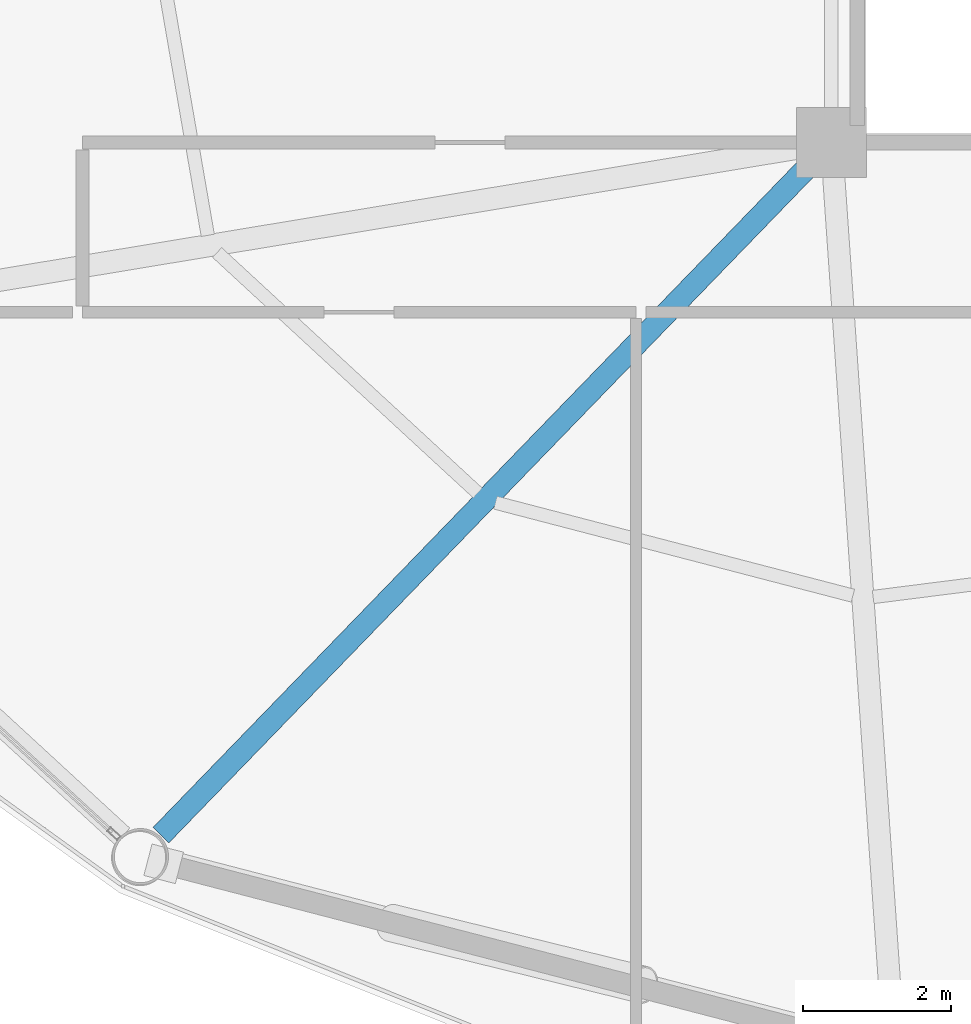
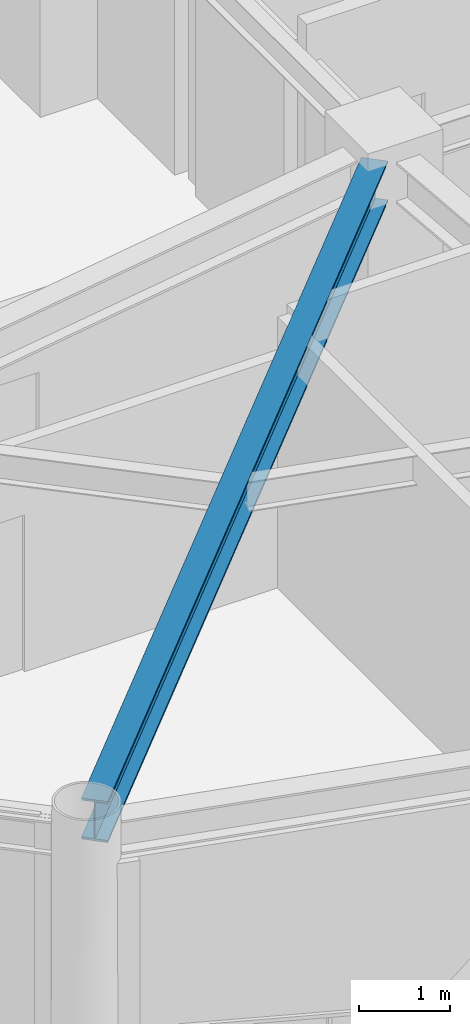
# One storey, part 4 of 24: 1 beam.
"""IFC4 building model written with IfcOpenShell, lengths in metres."""

import ifcopenshell
import ifcopenshell.guid

model = None  # the IFC model being written
_history = None  # IfcOwnerHistory: only IFC2X3 demands one
_inside = {}  # id of a spatial element -> (the spatial element, [elements in it])
_under = {}  # id of a project, library or spatial element -> (it, [spatial elements below it])
_declared = {}  # id of a project -> (the project, [libraries it declares])
_typed = {}  # id of a type object -> (the type object, [elements of that type])
_made_of = {}  # id of a material, layer set ... -> (it, [elements and type objects made of it])


def new_model(schema):
    """Start an empty IFC model of exactly this schema.

    Asked for "IFC4X3", IfcOpenShell would pick the latest addendum, in which some entities
    have other attributes; the version numbers below select the first issue.
    IFC2X3 requires an IfcOwnerHistory on every rooted entity: one is made here for all.
    """
    global model, _history
    if schema == "IFC4X3":
        model = ifcopenshell.file(schema_version=(4, 3, 0, 0))
    else:
        model = ifcopenshell.file(schema=schema)
    _inside.clear()
    _under.clear()
    _declared.clear()
    _typed.clear()
    _made_of.clear()
    _history = None
    if model.schema == "IFC2X3":
        org = make("IfcOrganization", Name="unknown")
        user = make(
            "IfcPersonAndOrganization",
            ThePerson=make("IfcPerson", FamilyName="unknown"),
            TheOrganization=org,
        )
        app = make(
            "IfcApplication",
            ApplicationDeveloper=org,
            Version="unknown",
            ApplicationFullName="unknown",
            ApplicationIdentifier="unknown",
        )
        _history = make(
            "IfcOwnerHistory",
            OwningUser=user,
            OwningApplication=app,
            ChangeAction="ADDED",
            CreationDate=0,
        )
    return model


def make(cls, **values):
    """One entity of the class cls with the attributes given. An attribute that is None is left unset."""
    return model.create_entity(
        cls, **{name: value for name, value in values.items() if value is not None}
    )


def rooted(cls, **values):
    """An entity with a GlobalId (a new one), such as an element, a storey or a relation."""
    return make(cls, GlobalId=ifcopenshell.guid.new(), OwnerHistory=_history, **values)


def si_unit(unit_type, name, prefix=None):
    """IfcSIUnit, for example si_unit("LENGTHUNIT", "METRE", prefix="MILLI")."""
    return make("IfcSIUnit", UnitType=unit_type, Prefix=prefix, Name=name)


def assignment(units):
    """IfcUnitAssignment: the units of a project."""
    return None if units is None else make("IfcUnitAssignment", Units=units)


def point(xyz):
    """IfcCartesianPoint."""
    return None if xyz is None else make("IfcCartesianPoint", Coordinates=xyz)


def direction(xyz):
    """IfcDirection."""
    return None if xyz is None else make("IfcDirection", DirectionRatios=xyz)


def frame(location, z_axis=None, x_axis=None):
    """IfcAxis2Placement3D, a coordinate frame: its origin and axes. An axis left out is left unset."""
    return make(
        "IfcAxis2Placement3D",
        Location=point(location),
        Axis=direction(z_axis),
        RefDirection=direction(x_axis),
    )


def frame_2d(location, x_axis=None):
    """IfcAxis2Placement2D, a coordinate frame in the plane: its origin and x axis."""
    return make(
        "IfcAxis2Placement2D", Location=point(location), RefDirection=direction(x_axis)
    )


def origin():
    """The frame at (0, 0, 0) with its axes left unset."""
    return frame((0.0, 0.0, 0.0))


def origin_2d():
    """The frame at (0, 0) in the plane with its x axis left unset."""
    return frame_2d((0.0, 0.0))


def place(relative_to, where):
    """IfcLocalPlacement: puts the frame where relative to a parent placement (None: the world)."""
    return make(
        "IfcLocalPlacement", PlacementRelTo=relative_to, RelativePlacement=where
    )


def context(
    kind, dimensions, precision=None, world=None, true_north=None, identifier=None
):
    """IfcGeometricRepresentationContext, for example the 3D "Model" context."""
    return make(
        "IfcGeometricRepresentationContext",
        ContextIdentifier=identifier,
        ContextType=kind,
        CoordinateSpaceDimension=dimensions,
        Precision=precision,
        WorldCoordinateSystem=world,
        TrueNorth=true_north,
    )


def subcontext(parent, identifier, kind, view, scale=None):
    """IfcGeometricRepresentationSubContext, for example "Body" below "Model"."""
    return make(
        "IfcGeometricRepresentationSubContext",
        ContextIdentifier=identifier,
        ContextType=kind,
        ParentContext=parent,
        TargetScale=scale,
        TargetView=view,
    )


def project(units=None, contexts=None):
    """IfcProject with its units and contexts."""
    return rooted(
        "IfcProject",
        Name="project",
        RepresentationContexts=contexts,
        UnitsInContext=assignment(units),
    )


def spatial(cls, under=None, at=None, **own):
    """A site, building, storey or space (cls), placed at a placement, below another one or the project."""
    s = rooted(cls, ObjectPlacement=at, **own)
    if under is not None:
        _under.setdefault(under.id(), (under, []))[1].append(s)
    return s


def profile(cls, at=None, kind="AREA", **sizes):
    """A parametric profile (cls). Its sizes go by their IFC names, for example OverallWidth=200.0."""
    return make(cls, ProfileType=kind, Position=at, **sizes)


def i_section(**sizes):
    """IfcIShapeProfileDef."""
    return profile("IfcIShapeProfileDef", **sizes)


def extrude(swept, where, along, depth):
    """IfcExtrudedAreaSolid: the profile swept, set in the frame where, extruded along a direction by depth."""
    return make(
        "IfcExtrudedAreaSolid",
        SweptArea=swept,
        Position=where,
        ExtrudedDirection=direction(along),
        Depth=depth,
    )


def shape(context_of_items, identifier, shape_type, items):
    """IfcShapeRepresentation: the items that make up one representation, for example the "Body"."""
    return make(
        "IfcShapeRepresentation",
        ContextOfItems=context_of_items,
        RepresentationIdentifier=identifier,
        RepresentationType=shape_type,
        Items=items,
    )


def material(Name=None, Category=None):
    """IfcMaterial."""
    return make("IfcMaterial", Name=Name, Category=Category)


def material_profile(
    of_material, cross_section, Name=None, Category=None, Priority=None
):
    """IfcMaterialProfile: a cross section and its material."""
    return make(
        "IfcMaterialProfile",
        Name=Name,
        Material=of_material,
        Profile=cross_section,
        Priority=Priority,
        Category=Category,
    )


def profile_set(profiles, Name=None, composite=None):
    """IfcMaterialProfileSet."""
    return make(
        "IfcMaterialProfileSet",
        Name=Name,
        MaterialProfiles=profiles,
        CompositeProfile=composite,
    )


def made_of(thing, what):
    """Note that an element or type object is made of a material, layer set ...; save() writes the relation."""
    if what is not None:
        _made_of.setdefault(what.id(), (what, []))[1].append(thing)
    return thing


def type_object(cls, material=None, **own):
    """A type object (cls), such as IfcWallType, which elements share."""
    return made_of(rooted(cls, **own), material)


def element(
    cls,
    number,
    at=None,
    inside=None,
    cuts=None,
    type_object=None,
    material=None,
    context=None,
    identifier="Body",
    shape_type=None,
    held_by="IfcProductDefinitionShape",
    body=None,
    shapes=None,
    **own,
):
    """One element of the class cls, such as IfcWall. Its Tag is "e" and its number.

    at: its placement. inside: the storey or other place that contains it. cuts: it is an
    opening in that element (IfcRelVoidsElement). A single representation is given by context,
    identifier, shape_type and body (its items); several are given by shapes. held_by: the class
    of the entity that holds the representations. save() writes the other relations.
    """
    e = rooted(cls, Tag="e%d" % number, ObjectPlacement=at, **own)
    if body is not None:
        shapes = [shape(context, identifier, shape_type, body)]
    if shapes is not None:
        e.Representation = make(held_by, Representations=shapes)
    if inside is not None:
        _inside.setdefault(inside.id(), (inside, []))[1].append(e)
    if cuts is not None:
        rooted(
            "IfcRelVoidsElement", RelatingBuildingElement=cuts, RelatedOpeningElement=e
        )
    if type_object is not None:
        _typed.setdefault(type_object.id(), (type_object, []))[1].append(e)
    return made_of(e, material)


def aggregate(whole, parts):
    """IfcRelAggregates: a whole, such as a stair, and the parts it consists of."""
    return rooted("IfcRelAggregates", RelatingObject=whole, RelatedObjects=parts)


def save(model, path):
    """Write the relations noted so far, then the file.

    IfcRelAggregates (storeys below a building ...), IfcRelContainedInSpatialStructure (elements
    in a storey), IfcRelDefinesByType, IfcRelAssociatesMaterial and IfcRelDeclares: one each for
    every whole, place, type object, material and project.
    """
    for whole, parts in _under.values():
        aggregate(whole, parts)
    for where, things in _inside.values():
        rooted(
            "IfcRelContainedInSpatialStructure",
            RelatedElements=things,
            RelatingStructure=where,
        )
    for kind, things in _typed.values():
        rooted("IfcRelDefinesByType", RelatedObjects=things, RelatingType=kind)
    for what, things in _made_of.values():
        rooted("IfcRelAssociatesMaterial", RelatedObjects=things, RelatingMaterial=what)
    for by, libraries in _declared.values():
        rooted("IfcRelDeclares", RelatingContext=by, RelatedDefinitions=libraries)
    model.write(path)


model = new_model("IFC4")

# Units and contexts
model_context = context("Model", 3, precision=1e-05, world=origin(), true_north=direction((0.0, 1.0)))
body_context = subcontext(model_context, "Body", "Model", "MODEL_VIEW")
ifc_project = project(units=[si_unit("LENGTHUNIT", "METRE"), si_unit("AREAUNIT", "SQUARE_METRE"), si_unit("VOLUMEUNIT", "CUBIC_METRE"), si_unit("PLANEANGLEUNIT", "RADIAN"), si_unit("MASSUNIT", "GRAM", prefix="KILO")], contexts=[model_context])

# Site, building, storey
site_placement = place(None, origin())
site = spatial("IfcSite", under=ifc_project, at=site_placement, CompositionType="ELEMENT")
building_placement = place(site_placement, origin())
building = spatial("IfcBuilding", under=site, at=building_placement, Name="Varnakorn Sky Granary", CompositionType="ELEMENT")
storey_placement = place(building_placement, frame((0.0, 0.0, 161.699951171875)))
storey = spatial("IfcBuildingStorey", under=building, at=storey_placement, Name="L40", CompositionType="ELEMENT", Elevation=161.699951171875)

# Beam
ifc_material = material(Name="Steel S355JR", Category="steel")
ifc_material_profile = material_profile(ifc_material, i_section(OverallWidth=0.300048828125, OverallDepth=0.550048828125, WebThickness=0.014892578125, FlangeThickness=0.029052734375, at=origin_2d()), Name="HE 550 B")
ifc_profile_set = profile_set([ifc_material_profile], Name="Steel S355JR")
beam_type = type_object("IfcBeamType", Name="BM-RAD-Z3", PredefinedType="BEAM", material=ifc_profile_set)
beam_placement = place(storey_placement, frame((-2.64208984375, -6.90185546875, 3.364990234375), z_axis=(-0.695543966219, -0.718483535689, 0.0), x_axis=(0.718483535689, -0.695543966219, 0.0)))
element("IfcBeam", 1, at=beam_placement, inside=storey, type_object=beam_type, Name="Radial Floor Girder RG09 L40", PredefinedType="BEAM", context=body_context, shape_type="SweptSolid", body=[
    extrude(i_section(OverallWidth=0.300048828125, OverallDepth=0.550048828125, WebThickness=0.014892578125, FlangeThickness=0.029052734375, at=origin_2d()), origin(), (0.0, 0.0, 1.0), 12.6435546875),
])

save(model, "model.ifc")
